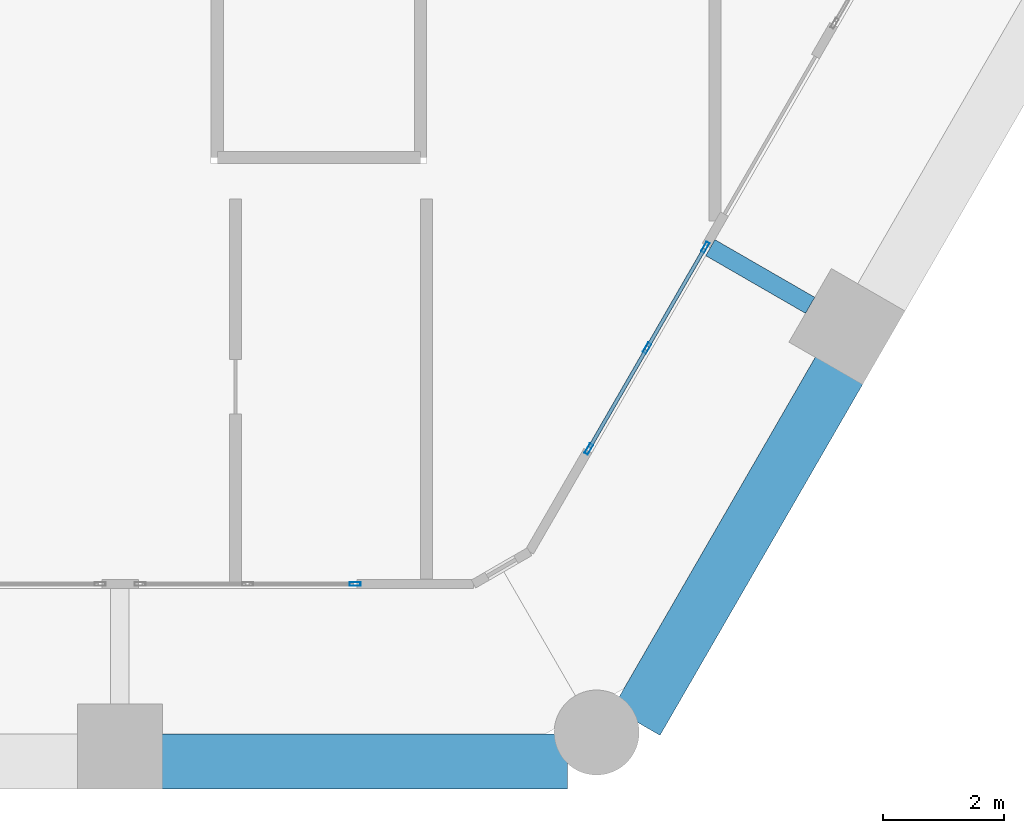
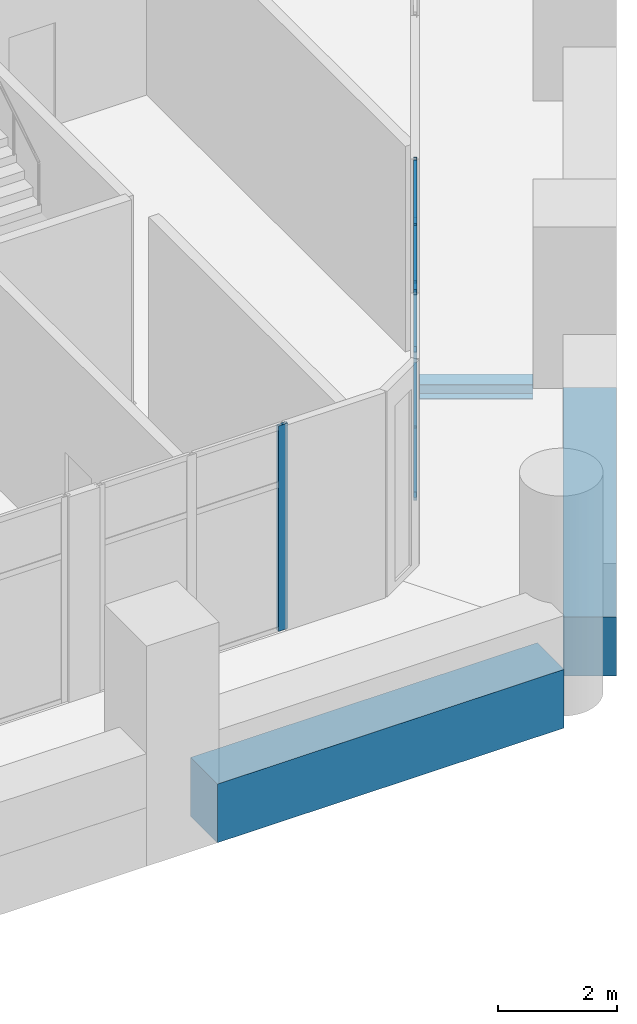
# One storey, part 6 of 18: 10 members, 3 beams, 2 elements without a shape of their own.
"""IFC4 building model written with IfcOpenShell, lengths in metres."""

import ifcopenshell
import ifcopenshell.guid

model = None  # the IFC model being written
_history = None  # IfcOwnerHistory: only IFC2X3 demands one
_inside = {}  # id of a spatial element -> (the spatial element, [elements in it])
_under = {}  # id of a project, library or spatial element -> (it, [spatial elements below it])
_declared = {}  # id of a project -> (the project, [libraries it declares])
_typed = {}  # id of a type object -> (the type object, [elements of that type])
_made_of = {}  # id of a material, layer set ... -> (it, [elements and type objects made of it])


def new_model(schema):
    """Start an empty IFC model of exactly this schema.

    Asked for "IFC4X3", IfcOpenShell would pick the latest addendum, in which some entities
    have other attributes; the version numbers below select the first issue.
    IFC2X3 requires an IfcOwnerHistory on every rooted entity: one is made here for all.
    """
    global model, _history
    if schema == "IFC4X3":
        model = ifcopenshell.file(schema_version=(4, 3, 0, 0))
    else:
        model = ifcopenshell.file(schema=schema)
    _inside.clear()
    _under.clear()
    _declared.clear()
    _typed.clear()
    _made_of.clear()
    _history = None
    if model.schema == "IFC2X3":
        org = make("IfcOrganization", Name="unknown")
        user = make(
            "IfcPersonAndOrganization",
            ThePerson=make("IfcPerson", FamilyName="unknown"),
            TheOrganization=org,
        )
        app = make(
            "IfcApplication",
            ApplicationDeveloper=org,
            Version="unknown",
            ApplicationFullName="unknown",
            ApplicationIdentifier="unknown",
        )
        _history = make(
            "IfcOwnerHistory",
            OwningUser=user,
            OwningApplication=app,
            ChangeAction="ADDED",
            CreationDate=0,
        )
    return model


def make(cls, **values):
    """One entity of the class cls with the attributes given. An attribute that is None is left unset."""
    return model.create_entity(
        cls, **{name: value for name, value in values.items() if value is not None}
    )


def rooted(cls, **values):
    """An entity with a GlobalId (a new one), such as an element, a storey or a relation."""
    return make(cls, GlobalId=ifcopenshell.guid.new(), OwnerHistory=_history, **values)


def si_unit(unit_type, name, prefix=None):
    """IfcSIUnit, for example si_unit("LENGTHUNIT", "METRE", prefix="MILLI")."""
    return make("IfcSIUnit", UnitType=unit_type, Prefix=prefix, Name=name)


def assignment(units):
    """IfcUnitAssignment: the units of a project."""
    return None if units is None else make("IfcUnitAssignment", Units=units)


def point(xyz):
    """IfcCartesianPoint."""
    return None if xyz is None else make("IfcCartesianPoint", Coordinates=xyz)


def direction(xyz):
    """IfcDirection."""
    return None if xyz is None else make("IfcDirection", DirectionRatios=xyz)


def frame(location, z_axis=None, x_axis=None):
    """IfcAxis2Placement3D, a coordinate frame: its origin and axes. An axis left out is left unset."""
    return make(
        "IfcAxis2Placement3D",
        Location=point(location),
        Axis=direction(z_axis),
        RefDirection=direction(x_axis),
    )


def frame_2d(location, x_axis=None):
    """IfcAxis2Placement2D, a coordinate frame in the plane: its origin and x axis."""
    return make(
        "IfcAxis2Placement2D", Location=point(location), RefDirection=direction(x_axis)
    )


def origin():
    """The frame at (0, 0, 0) with its axes left unset."""
    return frame((0.0, 0.0, 0.0))


def origin_2d():
    """The frame at (0, 0) in the plane with its x axis left unset."""
    return frame_2d((0.0, 0.0))


def place(relative_to, where):
    """IfcLocalPlacement: puts the frame where relative to a parent placement (None: the world)."""
    return make(
        "IfcLocalPlacement", PlacementRelTo=relative_to, RelativePlacement=where
    )


def context(
    kind, dimensions, precision=None, world=None, true_north=None, identifier=None
):
    """IfcGeometricRepresentationContext, for example the 3D "Model" context."""
    return make(
        "IfcGeometricRepresentationContext",
        ContextIdentifier=identifier,
        ContextType=kind,
        CoordinateSpaceDimension=dimensions,
        Precision=precision,
        WorldCoordinateSystem=world,
        TrueNorth=true_north,
    )


def subcontext(parent, identifier, kind, view, scale=None):
    """IfcGeometricRepresentationSubContext, for example "Body" below "Model"."""
    return make(
        "IfcGeometricRepresentationSubContext",
        ContextIdentifier=identifier,
        ContextType=kind,
        ParentContext=parent,
        TargetScale=scale,
        TargetView=view,
    )


def project(units=None, contexts=None):
    """IfcProject with its units and contexts."""
    return rooted(
        "IfcProject",
        Name="project",
        RepresentationContexts=contexts,
        UnitsInContext=assignment(units),
    )


def spatial(cls, under=None, at=None, **own):
    """A site, building, storey or space (cls), placed at a placement, below another one or the project."""
    s = rooted(cls, ObjectPlacement=at, **own)
    if under is not None:
        _under.setdefault(under.id(), (under, []))[1].append(s)
    return s


def profile(cls, at=None, kind="AREA", **sizes):
    """A parametric profile (cls). Its sizes go by their IFC names, for example OverallWidth=200.0."""
    return make(cls, ProfileType=kind, Position=at, **sizes)


def rectangle(**sizes):
    """IfcRectangleProfileDef."""
    return profile("IfcRectangleProfileDef", **sizes)


def hollow_rectangle(**sizes):
    """IfcRectangleHollowProfileDef."""
    return profile("IfcRectangleHollowProfileDef", **sizes)


def i_section(**sizes):
    """IfcIShapeProfileDef."""
    return profile("IfcIShapeProfileDef", **sizes)


def extrude(swept, where, along, depth):
    """IfcExtrudedAreaSolid: the profile swept, set in the frame where, extruded along a direction by depth."""
    return make(
        "IfcExtrudedAreaSolid",
        SweptArea=swept,
        Position=where,
        ExtrudedDirection=direction(along),
        Depth=depth,
    )


def shape(context_of_items, identifier, shape_type, items):
    """IfcShapeRepresentation: the items that make up one representation, for example the "Body"."""
    return make(
        "IfcShapeRepresentation",
        ContextOfItems=context_of_items,
        RepresentationIdentifier=identifier,
        RepresentationType=shape_type,
        Items=items,
    )


def material(Name=None, Category=None):
    """IfcMaterial."""
    return make("IfcMaterial", Name=Name, Category=Category)


def material_profile(
    of_material, cross_section, Name=None, Category=None, Priority=None
):
    """IfcMaterialProfile: a cross section and its material."""
    return make(
        "IfcMaterialProfile",
        Name=Name,
        Material=of_material,
        Profile=cross_section,
        Priority=Priority,
        Category=Category,
    )


def profile_set(profiles, Name=None, composite=None):
    """IfcMaterialProfileSet."""
    return make(
        "IfcMaterialProfileSet",
        Name=Name,
        MaterialProfiles=profiles,
        CompositeProfile=composite,
    )


def made_of(thing, what):
    """Note that an element or type object is made of a material, layer set ...; save() writes the relation."""
    if what is not None:
        _made_of.setdefault(what.id(), (what, []))[1].append(thing)
    return thing


def type_object(cls, material=None, **own):
    """A type object (cls), such as IfcWallType, which elements share."""
    return made_of(rooted(cls, **own), material)


def element(
    cls,
    number,
    at=None,
    inside=None,
    cuts=None,
    type_object=None,
    material=None,
    context=None,
    identifier="Body",
    shape_type=None,
    held_by="IfcProductDefinitionShape",
    body=None,
    shapes=None,
    **own,
):
    """One element of the class cls, such as IfcWall. Its Tag is "e" and its number.

    at: its placement. inside: the storey or other place that contains it. cuts: it is an
    opening in that element (IfcRelVoidsElement). A single representation is given by context,
    identifier, shape_type and body (its items); several are given by shapes. held_by: the class
    of the entity that holds the representations. save() writes the other relations.
    """
    e = rooted(cls, Tag="e%d" % number, ObjectPlacement=at, **own)
    if body is not None:
        shapes = [shape(context, identifier, shape_type, body)]
    if shapes is not None:
        e.Representation = make(held_by, Representations=shapes)
    if inside is not None:
        _inside.setdefault(inside.id(), (inside, []))[1].append(e)
    if cuts is not None:
        rooted(
            "IfcRelVoidsElement", RelatingBuildingElement=cuts, RelatedOpeningElement=e
        )
    if type_object is not None:
        _typed.setdefault(type_object.id(), (type_object, []))[1].append(e)
    return made_of(e, material)


def aggregate(whole, parts):
    """IfcRelAggregates: a whole, such as a stair, and the parts it consists of."""
    return rooted("IfcRelAggregates", RelatingObject=whole, RelatedObjects=parts)


def save(model, path):
    """Write the relations noted so far, then the file.

    IfcRelAggregates (storeys below a building ...), IfcRelContainedInSpatialStructure (elements
    in a storey), IfcRelDefinesByType, IfcRelAssociatesMaterial and IfcRelDeclares: one each for
    every whole, place, type object, material and project.
    """
    for whole, parts in _under.values():
        aggregate(whole, parts)
    for where, things in _inside.values():
        rooted(
            "IfcRelContainedInSpatialStructure",
            RelatedElements=things,
            RelatingStructure=where,
        )
    for kind, things in _typed.values():
        rooted("IfcRelDefinesByType", RelatedObjects=things, RelatingType=kind)
    for what, things in _made_of.values():
        rooted("IfcRelAssociatesMaterial", RelatedObjects=things, RelatingMaterial=what)
    for by, libraries in _declared.values():
        rooted("IfcRelDeclares", RelatingContext=by, RelatedDefinitions=libraries)
    model.write(path)


model = new_model("IFC4")

# Units and contexts
model_context = context("Model", 3, precision=1e-05, world=origin(), true_north=direction((0.0, 1.0)))
body_context = subcontext(model_context, "Body", "Model", "MODEL_VIEW")
ifc_project = project(units=[si_unit("LENGTHUNIT", "METRE"), si_unit("AREAUNIT", "SQUARE_METRE"), si_unit("VOLUMEUNIT", "CUBIC_METRE"), si_unit("PLANEANGLEUNIT", "RADIAN"), si_unit("MASSUNIT", "GRAM", prefix="KILO")], contexts=[model_context])

# Site, building, storey
site_placement = place(None, origin())
site = spatial("IfcSite", under=ifc_project, at=site_placement, CompositionType="ELEMENT")
building_placement = place(site_placement, origin())
building = spatial("IfcBuilding", under=site, at=building_placement, Name="Ostrander Bayou Hotel Tower", CompositionType="ELEMENT")
storey_placement = place(building_placement, frame((0.0, 0.0, 14.5)))
storey = spatial("IfcBuildingStorey", under=building, at=storey_placement, Name="L03", CompositionType="ELEMENT", Elevation=14.5)

# Curtain wall, member
ifc_material_1 = material(Name="Aluminium and clear glass", Category="aluminium")
curtain_wall_type = type_object("IfcCurtainWallType", Name="CW-SKY amenity glass wall", PredefinedType="NOTDEFINED", material=ifc_material_1)
curtain_wall_1_placement = place(storey_placement, origin())
curtain_wall_1 = element("IfcCurtainWall", 1, at=curtain_wall_1_placement, inside=storey, type_object=curtain_wall_type, Name="CW-SKY L03 S 4", PredefinedType="NOTDEFINED")
ifc_material_2 = material(Name="Aluminium", Category="aluminium")
ifc_material_profile_1 = material_profile(ifc_material_2, hollow_rectangle(XDim=0.06005859375, YDim=0.179931640625, WallThickness=0.00390625, at=origin_2d()))
ifc_profile_set_1 = profile_set([ifc_material_profile_1], Name="Aluminium")
member_type_1 = type_object("IfcMemberType", Name="CW-SK mullion 60 x 180 mm", PredefinedType="MULLION", material=ifc_profile_set_1)
member_1_placement = place(storey_placement, frame((8.070068359375, -18.425048828125, 0.0), z_axis=(0.0, 0.0, 1.0), x_axis=(0.0, 1.0, 0.0)))
member_1 = element("IfcMember", 2, at=member_1_placement, type_object=member_type_1, Name="CW-SKY mullion 3", PredefinedType="MULLION", context=body_context, shape_type="SweptSolid", body=[
    extrude(hollow_rectangle(XDim=0.06005859375, YDim=0.179931640625, WallThickness=0.00390625, at=origin_2d()), origin(), (0.0, 0.0, 1.0), 4.199951171875),
])
aggregate(curtain_wall_1, [member_1])

# Curtain wall, members
curtain_wall_2_placement = place(storey_placement, origin())
curtain_wall_2 = element("IfcCurtainWall", 3, at=curtain_wall_2_placement, inside=storey, type_object=curtain_wall_type, Name="CW-SKY L03 SE 1", PredefinedType="NOTDEFINED")
member_2_placement = place(storey_placement, frame((11.92138671875, -16.201416015625, 0.0), z_axis=(0.0, 0.0, 1.0), x_axis=(-0.866025463091, 0.499999897278, 0.0)))
member_2 = element("IfcMember", 4, at=member_2_placement, type_object=member_type_1, Name="CW-SKY mullion 1", PredefinedType="MULLION", context=body_context, shape_type="SweptSolid", body=[
    extrude(hollow_rectangle(XDim=0.06005859375, YDim=0.179931640625, WallThickness=0.00390625, at=origin_2d()), origin(), (0.0, 0.0, 1.0), 4.199951171875),
])
member_3_placement = place(storey_placement, frame((12.881591796875, -14.53857421875, 0.0), z_axis=(0.0, 0.0, 1.0), x_axis=(-0.866025463091, 0.499999897278, 0.0)))
member_3 = element("IfcMember", 5, at=member_3_placement, type_object=member_type_1, Name="CW-SKY mullion 2", PredefinedType="MULLION", context=body_context, shape_type="SweptSolid", body=[
    extrude(hollow_rectangle(XDim=0.06005859375, YDim=0.179931640625, WallThickness=0.00390625, at=origin_2d()), origin(), (0.0, 0.0, 1.0), 4.199951171875),
])
member_4_placement = place(storey_placement, frame((13.841552734375, -12.875732421875, 0.0), z_axis=(0.0, 0.0, 1.0), x_axis=(-0.866025463091, 0.499999897278, 0.0)))
member_4 = element("IfcMember", 6, at=member_4_placement, type_object=member_type_1, Name="CW-SKY mullion 3", PredefinedType="MULLION", context=body_context, shape_type="SweptSolid", body=[
    extrude(hollow_rectangle(XDim=0.06005859375, YDim=0.179931640625, WallThickness=0.00390625, at=origin_2d()), origin(), (0.0, 0.0, 1.0), 4.199951171875),
])
ifc_material_3 = material(Name="Aluminium", Category="aluminium")
ifc_material_profile_2 = material_profile(ifc_material_3, hollow_rectangle(XDim=0.06005859375, YDim=0.1201171875, WallThickness=0.00390625, at=origin_2d()))
ifc_profile_set_2 = profile_set([ifc_material_profile_2], Name="Aluminium")
member_type_2 = type_object("IfcMemberType", Name="CW-SK transom 60 x 120 mm", PredefinedType="USERDEFINED", material=ifc_profile_set_2)
member_5_placement = place(storey_placement, frame((11.9365234375, -16.17529296875, 0.030029296875), z_axis=(0.499964847546, 0.866045698112, 0.0), x_axis=(-0.866045698112, 0.499964847546, 0.0)))
member_5 = element("IfcMember", 7, at=member_5_placement, type_object=member_type_2, Name="CW-SKY transom 1.1", ObjectType="TRANSOM", PredefinedType="USERDEFINED", context=body_context, shape_type="SweptSolid", body=[
    extrude(hollow_rectangle(XDim=0.06005859375, YDim=0.1201171875, WallThickness=0.00390625, at=origin_2d()), origin(), (0.0, 0.0, 1.0), 1.860107421875),
])
member_6_placement = place(storey_placement, frame((11.9365234375, -16.17529296875, 3.0), z_axis=(0.499964847546, 0.866045698112, 0.0), x_axis=(-0.866045698112, 0.499964847546, 0.0)))
member_6 = element("IfcMember", 8, at=member_6_placement, type_object=member_type_2, Name="CW-SKY transom 1.2", ObjectType="TRANSOM", PredefinedType="USERDEFINED", context=body_context, shape_type="SweptSolid", body=[
    extrude(hollow_rectangle(XDim=0.06005859375, YDim=0.1201171875, WallThickness=0.00390625, at=origin_2d()), origin(), (0.0, 0.0, 1.0), 1.860107421875),
])
member_7_placement = place(storey_placement, frame((11.9365234375, -16.17529296875, 4.169921875), z_axis=(0.499964847546, 0.866045698112, 0.0), x_axis=(-0.866045698112, 0.499964847546, 0.0)))
member_7 = element("IfcMember", 9, at=member_7_placement, type_object=member_type_2, Name="CW-SKY transom 1.3", ObjectType="TRANSOM", PredefinedType="USERDEFINED", context=body_context, shape_type="SweptSolid", body=[
    extrude(hollow_rectangle(XDim=0.06005859375, YDim=0.1201171875, WallThickness=0.00390625, at=origin_2d()), origin(), (0.0, 0.0, 1.0), 1.860107421875),
])
member_8_placement = place(storey_placement, frame((12.896484375, -14.512451171875, 0.030029296875), z_axis=(0.500021687003, 0.866012882425, 0.0), x_axis=(-0.866012882425, 0.500021687003, 0.0)))
member_8 = element("IfcMember", 10, at=member_8_placement, type_object=member_type_2, Name="CW-SKY transom 2.1", ObjectType="TRANSOM", PredefinedType="USERDEFINED", context=body_context, shape_type="SweptSolid", body=[
    extrude(hollow_rectangle(XDim=0.06005859375, YDim=0.1201171875, WallThickness=0.00390625, at=origin_2d()), origin(), (0.0, 0.0, 1.0), 1.85986328125),
])
member_9_placement = place(storey_placement, frame((12.896484375, -14.512451171875, 3.0), z_axis=(0.500021687003, 0.866012882425, 0.0), x_axis=(-0.866012882425, 0.500021687003, 0.0)))
member_9 = element("IfcMember", 11, at=member_9_placement, type_object=member_type_2, Name="CW-SKY transom 2.2", ObjectType="TRANSOM", PredefinedType="USERDEFINED", context=body_context, shape_type="SweptSolid", body=[
    extrude(hollow_rectangle(XDim=0.06005859375, YDim=0.1201171875, WallThickness=0.00390625, at=origin_2d()), origin(), (0.0, 0.0, 1.0), 1.85986328125),
])
member_10_placement = place(storey_placement, frame((12.896484375, -14.512451171875, 4.169921875), z_axis=(0.500021687003, 0.866012882425, 0.0), x_axis=(-0.866012882425, 0.500021687003, 0.0)))
member_10 = element("IfcMember", 12, at=member_10_placement, type_object=member_type_2, Name="CW-SKY transom 2.3", ObjectType="TRANSOM", PredefinedType="USERDEFINED", context=body_context, shape_type="SweptSolid", body=[
    extrude(hollow_rectangle(XDim=0.06005859375, YDim=0.1201171875, WallThickness=0.00390625, at=origin_2d()), origin(), (0.0, 0.0, 1.0), 1.85986328125),
])
aggregate(curtain_wall_2, [member_2, member_3, member_4, member_5, member_6, member_7, member_8, member_9, member_10])

# Beams
ifc_material_4 = material(Name="Steel ASTM A992", Category="steel")
ifc_material_profile_3 = material_profile(ifc_material_4, i_section(OverallWidth=0.3046875, OverallDepth=0.307861328125, WebThickness=0.010009765625, FlangeThickness=0.015380859375, at=origin_2d()))
ifc_profile_set_3 = profile_set([ifc_material_profile_3], Name="Steel ASTM A992")
beam_type_1 = type_object("IfcBeamType", Name="LB1 loggia bracket W12x65", PredefinedType="BEAM", material=ifc_profile_set_3)
beam_placement = place(storey_placement, frame((15.569091796875, -13.833251953125, -0.453857421875), z_axis=(-0.86601224135, 0.500022797313, 0.0), x_axis=(-0.500022797313, -0.86601224135, 0.0)))
element("IfcBeam", 13, at=beam_placement, inside=storey, type_object=beam_type_1, Name="LB1 L03 SE1", PredefinedType="BEAM", context=body_context, shape_type="SweptSolid", body=[
    extrude(i_section(OverallWidth=0.3046875, OverallDepth=0.307861328125, WebThickness=0.010009765625, FlangeThickness=0.015380859375, at=origin_2d()), origin(), (0.0, 0.0, 1.0), 1.89990234375),
])
ifc_material_5 = material(Name="Concrete f'c 70 MPa", Category="concrete")
ifc_material_profile_4 = material_profile(ifc_material_5, rectangle(XDim=0.89990234375, YDim=1.199951171875, at=origin_2d()))
ifc_profile_set_4 = profile_set([ifc_material_profile_4], Name="Concrete f'c 70 MPa")
beam_type_2 = type_object("IfcBeamType", Name="SP1 spandrel beam 900 x 1200 mm f'c 70 MPa", PredefinedType="SPANDREL", material=ifc_profile_set_4)
for number, where, z_axis, x_axis, name in (
    (14, (4.865478515625, -21.35009765625, -0.60009765625), (1.0, 0.0, 0.0), (0.0, 1.0, 0.0), "SP1 L03 S-3"),
    (15, (12.705078125, -20.694091796875, -0.60009765625), (0.500005133765, 0.866022439784, 0.0), (-0.866022439784, 0.500005133765, 0.0), "SP1 L03 SE-1"),
):
    element("IfcBeam", number, at=place(storey_placement, frame(where, z_axis=z_axis, x_axis=x_axis)), inside=storey, type_object=beam_type_2, Name=name, PredefinedType="SPANDREL", context=body_context, shape_type="SweptSolid", body=[
        extrude(rectangle(XDim=0.89990234375, YDim=1.199951171875, at=origin_2d()), origin(), (0.0, 0.0, 1.0), 6.70361328125),
    ])

save(model, "model.ifc")
